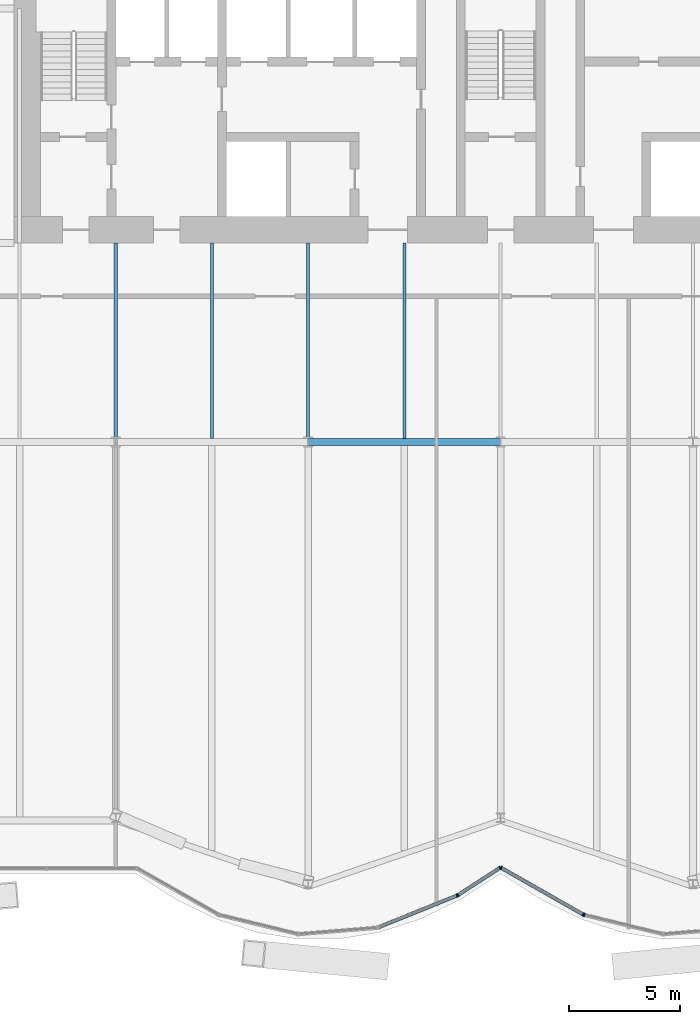
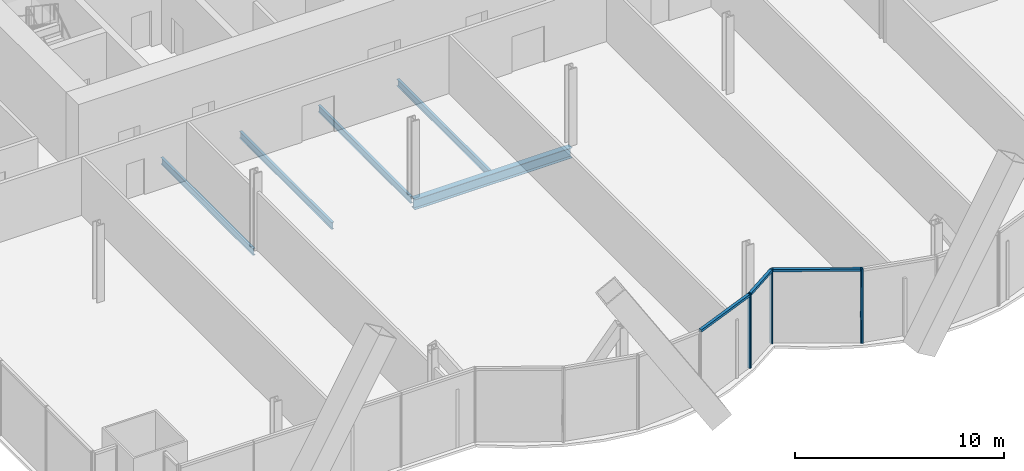
# One storey, part 7 of 23: 9 members, 5 beams, 2 elements without a shape of their own.
"""IFC4 building model written with IfcOpenShell, lengths in metres."""

from ifc_helpers import new_model, si_unit, direction, frame, origin, origin_2d, place, context, subcontext, project, spatial, rectangle, i_section, extrude, material, material_profile, profile_set, type_object, element, aggregate, save


model = new_model("IFC4")

# Units and contexts
model_context = context("Model", 3, precision=1e-05, world=origin(), true_north=direction((0.0, 1.0)))
body_context = subcontext(model_context, "Body", "Model", "MODEL_VIEW")
ifc_project = project(units=[si_unit("LENGTHUNIT", "METRE"), si_unit("AREAUNIT", "SQUARE_METRE"), si_unit("VOLUMEUNIT", "CUBIC_METRE"), si_unit("PLANEANGLEUNIT", "RADIAN"), si_unit("MASSUNIT", "GRAM", prefix="KILO")], contexts=[model_context])

# Site, building, storey
site_placement = place(None, origin())
site = spatial("IfcSite", under=ifc_project, at=site_placement, CompositionType="ELEMENT")
building_placement = place(site_placement, origin())
building = spatial("IfcBuilding", under=site, at=building_placement, Name="Bicima Exchange Tower", CompositionType="ELEMENT")
storey_placement = place(building_placement, frame((0.0, 0.0, 44.0)))
storey = spatial("IfcBuildingStorey", under=building, at=storey_placement, Name="L08", CompositionType="ELEMENT", Elevation=44.0)

# Beams
ifc_material_1 = material(Name="Steel ASTM A992 Gr 50", Category="steel")
ifc_material_profile_1 = material_profile(ifc_material_1, i_section(OverallWidth=0.140380859375, OverallDepth=0.40380859375, WebThickness=0.007080078125, FlangeThickness=0.01123046875, at=origin_2d()))
ifc_profile_set_1 = profile_set([ifc_material_profile_1], Name="Steel ASTM A992 Gr 50")
beam_type_1 = type_object("IfcBeamType", Name="Floor beam W16x31", PredefinedType="JOIST", material=ifc_profile_set_1)
for number, where, z_axis, x_axis, name in (
    (1, (-17.39990234375, -13.0, -0.351806640625), (0.0, -1.0, 0.0), (1.0, 0.0, 0.0), "Floor beam"),
    (2, (-13.050048828125, -13.0, -0.351806640625), (0.0, -1.0, 0.0), (1.0, 0.0, 0.0), "Floor beam"),
    (3, (-8.699951171875, -13.0, -0.351806640625), (0.0, -1.0, 0.0), (1.0, 0.0, 0.0), "Floor beam"),
    (4, (-4.35009765625, -13.0, -0.351806640625), (0.0, -1.0, 0.0), (1.0, 0.0, 0.0), "Floor beam"),
):
    element("IfcBeam", number, at=place(storey_placement, frame(where, z_axis=z_axis, x_axis=x_axis)), inside=storey, type_object=beam_type_1, Name=name, PredefinedType="JOIST", context=body_context, shape_type="SweptSolid", body=[
        extrude(i_section(OverallWidth=0.140380859375, OverallDepth=0.40380859375, WebThickness=0.007080078125, FlangeThickness=0.01123046875, at=origin_2d()), origin(), (0.0, 0.0, 1.0), 8.83740234375),
    ])

# Curtain wall, members
ifc_material_2 = material(Name="Anodised bronze aluminium", Category="aluminium")
curtain_wall_type = type_object("IfcCurtainWallType", Name="Front glass wall", PredefinedType="NOTDEFINED", material=ifc_material_2)
curtain_wall_1_placement = place(storey_placement, origin())
curtain_wall_1 = element("IfcCurtainWall", 5, at=curtain_wall_1_placement, inside=storey, type_object=curtain_wall_type, Name="Front glass wall L08 run 6", PredefinedType="NOTDEFINED")
ifc_material_profile_2 = material_profile(ifc_material_2, rectangle(XDim=0.159912109375, YDim=0.06005859375, at=origin_2d()))
ifc_profile_set_2 = profile_set([ifc_material_profile_2], Name="Anodised bronze aluminium")
member_type_1 = type_object("IfcMemberType", Name="Front glass wall mullion 60 x 160", PredefinedType="MULLION", material=ifc_profile_set_2)
member_1_placement = place(storey_placement, frame((-1.97412109375, -42.507568359375, 0.0), z_axis=(0.0, 0.0, 1.0), x_axis=(-0.374705304, 0.92714396679, 0.0)))
member_1 = element("IfcMember", 6, at=member_1_placement, type_object=member_type_1, Name="Front glass wall mullion 2", PredefinedType="MULLION", context=body_context, shape_type="SweptSolid", body=[
    extrude(rectangle(XDim=0.159912109375, YDim=0.06005859375, at=origin_2d()), origin(), (0.0, 0.0, 1.0), 4.35009765625),
])
member_2_placement = place(storey_placement, frame((-1.921142578125, -42.47998046875, 0.0), z_axis=(0.0, 0.0, 1.0), x_axis=(-0.542897457326, 0.839798994301, 0.0)))
member_2 = element("IfcMember", 7, at=member_2_placement, type_object=member_type_1, Name="Front glass wall mullion 1", PredefinedType="MULLION", context=body_context, shape_type="SweptSolid", body=[
    extrude(rectangle(XDim=0.159912109375, YDim=0.06005859375, at=origin_2d()), origin(), (0.0, 0.0, 1.0), 4.35009765625),
])
member_3_placement = place(storey_placement, frame((-0.025146484375, -41.25439453125, 0.0), z_axis=(0.0, 0.0, 1.0), x_axis=(-0.542897457326, 0.839798994301, 0.0)))
member_3 = element("IfcMember", 8, at=member_3_placement, type_object=member_type_1, Name="Front glass wall mullion 2", PredefinedType="MULLION", context=body_context, shape_type="SweptSolid", body=[
    extrude(rectangle(XDim=0.159912109375, YDim=0.06005859375, at=origin_2d()), origin(), (0.0, 0.0, 1.0), 4.35009765625),
])

curtain_wall_2_placement = place(storey_placement, origin())
curtain_wall_2 = element("IfcCurtainWall", 9, at=curtain_wall_2_placement, inside=storey, type_object=curtain_wall_type, Name="Front glass wall L08 run 11", PredefinedType="NOTDEFINED")
member_4_placement = place(storey_placement, frame((0.026123046875, -41.2529296875, 0.0), z_axis=(0.0, 0.0, 1.0), x_axis=(0.494330311331, 0.869274147378, 0.0)))
member_4 = element("IfcMember", 10, at=member_4_placement, type_object=member_type_1, Name="Front glass wall mullion 1", PredefinedType="MULLION", context=body_context, shape_type="SweptSolid", body=[
    extrude(rectangle(XDim=0.159912109375, YDim=0.06005859375, at=origin_2d()), origin(), (0.0, 0.0, 1.0), 4.35009765625),
])
member_5_placement = place(storey_placement, frame((3.7265625, -43.357421875, 0.0), z_axis=(0.0, 0.0, 1.0), x_axis=(0.494330311331, 0.869274147378, 0.0)))
member_5 = element("IfcMember", 11, at=member_5_placement, type_object=member_type_1, Name="Front glass wall mullion 2", PredefinedType="MULLION", context=body_context, shape_type="SweptSolid", body=[
    extrude(rectangle(XDim=0.159912109375, YDim=0.06005859375, at=origin_2d()), origin(), (0.0, 0.0, 1.0), 4.35009765625),
])
member_6_placement = place(storey_placement, frame((3.781982421875, -43.37939453125, 0.0), z_axis=(0.0, 0.0, 1.0), x_axis=(0.235681529503, 0.971830343553, 0.0)))
member_6 = element("IfcMember", 12, at=member_6_placement, type_object=member_type_1, Name="Front glass wall mullion 1", PredefinedType="MULLION", context=body_context, shape_type="SweptSolid", body=[
    extrude(rectangle(XDim=0.159912109375, YDim=0.06005859375, at=origin_2d()), origin(), (0.0, 0.0, 1.0), 4.35009765625),
])

# Member
ifc_material_profile_3 = material_profile(ifc_material_2, rectangle(XDim=0.159912109375, YDim=0.139892578125, at=origin_2d()))
ifc_profile_set_3 = profile_set([ifc_material_profile_3], Name="Anodised bronze aluminium")
member_type_2 = type_object("IfcMemberType", Name="Front glass wall transom 140 x 160", PredefinedType="USERDEFINED", material=ifc_profile_set_3)
member_7_placement = place(storey_placement, frame((-5.498291015625, -43.931884765625, 4.280029296875), z_axis=(0.927140215882, 0.374714584842, 0.0), x_axis=(-0.374714584842, 0.927140215882, 0.0)))
member_7 = element("IfcMember", 13, at=member_7_placement, type_object=member_type_2, Name="Front glass wall transom 1.1", ObjectType="TRANSOM", PredefinedType="USERDEFINED", context=body_context, shape_type="SweptSolid", body=[
    extrude(rectangle(XDim=0.159912109375, YDim=0.139892578125, at=origin_2d()), origin(), (0.0, 0.0, 1.0), 3.77099609375),
])

member_8_placement = place(storey_placement, frame((-1.89599609375, -42.4638671875, 4.280029296875), z_axis=(0.839811483481, 0.542878137536, 0.0), x_axis=(-0.542878137536, 0.839811483481, 0.0)))
member_8 = element("IfcMember", 14, at=member_8_placement, type_object=member_type_2, Name="Front glass wall transom 1.1", ObjectType="TRANSOM", PredefinedType="USERDEFINED", context=body_context, shape_type="SweptSolid", body=[
    extrude(rectangle(XDim=0.159912109375, YDim=0.139892578125, at=origin_2d()), origin(), (0.0, 0.0, 1.0), 2.19775390625),
])

aggregate(curtain_wall_1, [member_1, member_7, member_2, member_3, member_8])

member_9_placement = place(storey_placement, frame((0.05224609375, -41.267822265625, 4.280029296875), z_axis=(0.869265121745, -0.494346182466, 0.0), x_axis=(0.494346182466, 0.869265121745, 0.0)))
member_9 = element("IfcMember", 15, at=member_9_placement, type_object=member_type_2, Name="Front glass wall transom 1.1", ObjectType="TRANSOM", PredefinedType="USERDEFINED", context=body_context, shape_type="SweptSolid", body=[
    extrude(rectangle(XDim=0.159912109375, YDim=0.139892578125, at=origin_2d()), origin(), (0.0, 0.0, 1.0), 4.19677734375),
])

aggregate(curtain_wall_2, [member_4, member_5, member_9, member_6])

# Beam
ifc_material_profile_4 = material_profile(ifc_material_1, i_section(OverallWidth=0.3251953125, OverallDepth=0.612060546875, WebThickness=0.0126953125, FlangeThickness=0.01904296875, at=origin_2d()))
ifc_profile_set_4 = profile_set([ifc_material_profile_4], Name="Steel ASTM A992 Gr 50")
beam_type_2 = type_object("IfcBeamType", Name="Row girder W24x104", PredefinedType="BEAM", material=ifc_profile_set_4)
beam_placement = place(storey_placement, frame((-8.699951171875, -22.0, -0.4560546875), z_axis=(1.0, 0.0, 0.0), x_axis=(0.0, 1.0, 0.0)))
element("IfcBeam", 16, at=beam_placement, inside=storey, type_object=beam_type_2, Name="Row girder", PredefinedType="BEAM", context=body_context, shape_type="SweptSolid", body=[
    extrude(i_section(OverallWidth=0.3251953125, OverallDepth=0.612060546875, WebThickness=0.0126953125, FlangeThickness=0.01904296875, at=origin_2d()), origin(), (0.0, 0.0, 1.0), 8.699951171875),
])

save(model, "model.ifc")
